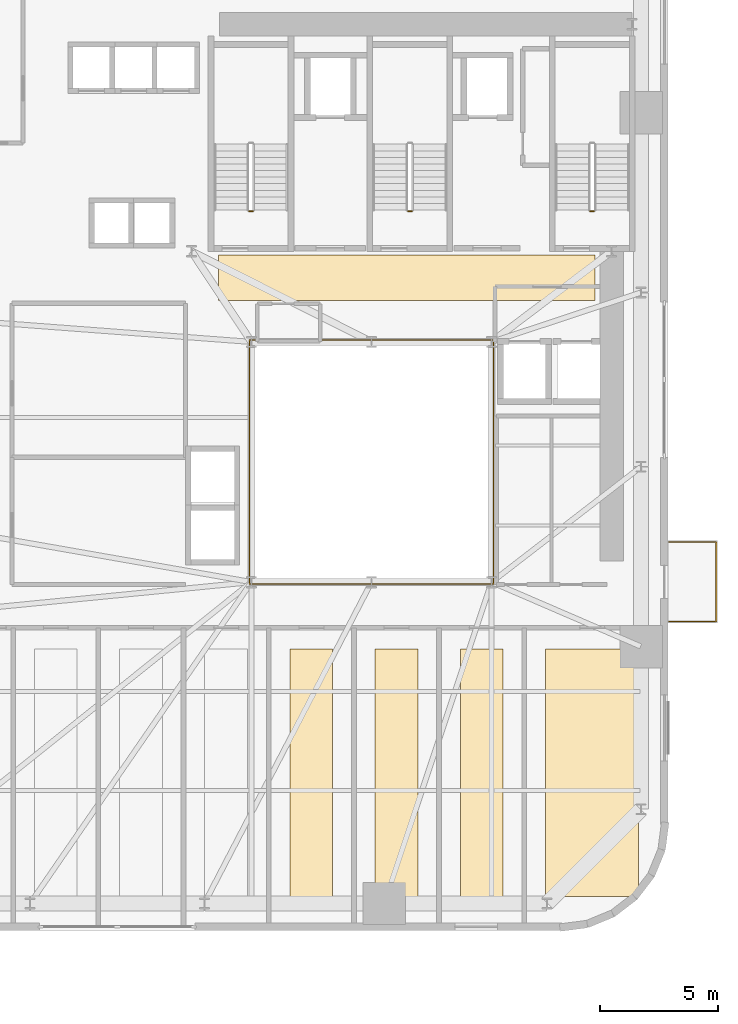
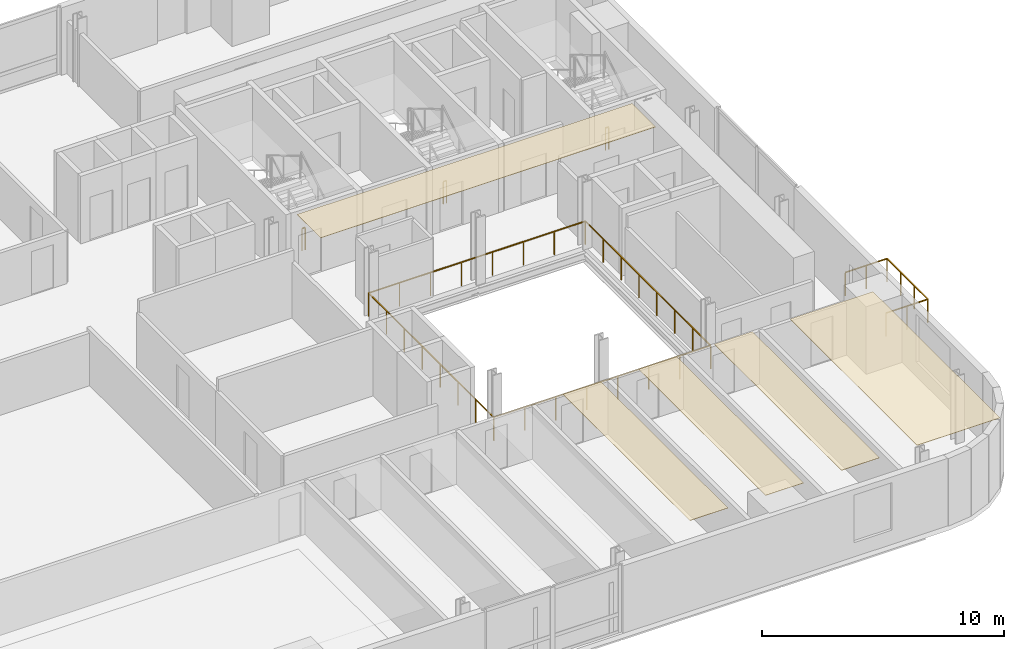
# One storey, part 11 of 13: 5 coverings, 5 railings.
"""IFC4 building model written with IfcOpenShell, lengths in metres."""

from ifc_helpers import new_model, si_unit, direction, frame, origin, origin_2d, place, context, subcontext, project, spatial, polyline, rectangle, outline, extrude, source, transform, mapped, material, layer, layer_set, type_object, element, save


model = new_model("IFC4")

# Units and contexts
model_context = context("Model", 3, precision=1e-05, world=origin(), true_north=direction((0.0, 1.0)))
body_context = subcontext(model_context, "Body", "Model", "MODEL_VIEW")
ifc_project = project(units=[si_unit("LENGTHUNIT", "METRE"), si_unit("AREAUNIT", "SQUARE_METRE"), si_unit("VOLUMEUNIT", "CUBIC_METRE"), si_unit("PLANEANGLEUNIT", "RADIAN"), si_unit("MASSUNIT", "GRAM", prefix="KILO")], contexts=[model_context])

# Site, building, storey
site_placement = place(None, origin())
site = spatial("IfcSite", under=ifc_project, at=site_placement, CompositionType="ELEMENT")
building_placement = place(site_placement, origin())
building = spatial("IfcBuilding", under=site, at=building_placement, Name="Vardaveli Station Tower", CompositionType="ELEMENT")
storey_placement = place(building_placement, frame((0.0, 0.0, 64.10009765625)))
storey = spatial("IfcBuildingStorey", under=building, at=storey_placement, Name="L16", CompositionType="ELEMENT", Elevation=64.10009765625)

# Coverings
ifc_material_1 = material(Name="Perforated acoustic mineral ceiling")
ifc_layer = layer(ifc_material_1, 0.02001953125, Name="Perforated acoustic mineral ceiling")
ifc_layer_set = layer_set([ifc_layer], Name="Perforated acoustic mineral ceiling")
covering_type = type_object("IfcCoveringType", Name="COV-CEIL-AC20", PredefinedType="CEILING", material=ifc_layer_set)
covering_1_placement = place(storey_placement, frame((0.0, 0.0, 3.39501953125)))
element("IfcCovering", 1, at=covering_1_placement, inside=storey, type_object=covering_type, Name="CEIL-L16-5", PredefinedType="CEILING", context=body_context, shape_type="SweptSolid", body=[
    extrude(outline(polyline([(32.833740234375, 3.25), (34.651611328125, 3.25), (34.651611328125, 13.760009765625), (32.833740234375, 13.760009765625), (32.833740234375, 3.25)])), origin(), (0.0, 0.0, 1.0), 0.019775390625),
])
covering_2_placement = place(storey_placement, frame((0.0, 0.0, 3.39501953125)))
element("IfcCovering", 2, at=covering_2_placement, inside=storey, type_object=covering_type, Name="CEIL-L16-6", PredefinedType="CEILING", context=body_context, shape_type="SweptSolid", body=[
    extrude(outline(polyline([(36.45166015625, 3.25), (38.26953125, 3.25), (38.26953125, 13.760009765625), (36.45166015625, 13.760009765625), (36.45166015625, 3.25)])), origin(), (0.0, 0.0, 1.0), 0.019775390625),
])
covering_3_placement = place(storey_placement, frame((0.0, 0.0, 3.39501953125)))
element("IfcCovering", 3, at=covering_3_placement, inside=storey, type_object=covering_type, Name="CEIL-L16-7", PredefinedType="CEILING", context=body_context, shape_type="SweptSolid", body=[
    extrude(outline(polyline([(40.069580078125, 3.25), (41.887451171875, 3.25), (41.887451171875, 13.760009765625), (40.069580078125, 13.760009765625), (40.069580078125, 3.25)])), origin(), (0.0, 0.0, 1.0), 0.019775390625),
])
covering_4_placement = place(storey_placement, frame((0.0, 0.0, 3.39501953125)))
element("IfcCovering", 4, at=covering_4_placement, inside=storey, type_object=covering_type, Name="CEIL-L16-8", PredefinedType="CEILING", context=body_context, shape_type="SweptSolid", body=[
    extrude(outline(polyline([(43.6875, 3.25), (47.64990234375, 3.25), (47.64990234375, 13.760009765625), (43.6875, 13.760009765625), (43.6875, 3.25)])), origin(), (0.0, 0.0, 1.0), 0.019775390625),
])
covering_5_placement = place(storey_placement, frame((0.0, 0.0, 3.39501953125)))
element("IfcCovering", 5, at=covering_5_placement, inside=storey, type_object=covering_type, Name="CEIL-L16-9", PredefinedType="CEILING", context=body_context, shape_type="SweptSolid", body=[
    extrude(outline(polyline([(29.800048828125, 28.550048828125), (45.800048828125, 28.550048828125), (45.800048828125, 30.5), (29.800048828125, 30.5), (29.800048828125, 28.550048828125)])), origin(), (0.0, 0.0, 1.0), 0.019775390625),
])

# Railings
ifc_material_2 = material(Name="Laminated glass and stainless steel balustrade", Category="steel")
railing_type_1 = type_object("IfcRailingType", Name="RL-BAL-1200", PredefinedType="BALUSTRADE", material=ifc_material_2)
shared_shape_1 = source(origin(), body_context, "Body", "SweptSolid", [
    extrude(rectangle(XDim=0.048095703125, YDim=0.048095703125, at=origin_2d()), frame((0.0, 0.0, 1.17578125), z_axis=(1.0, 0.0, 0.0), x_axis=(0.0, 1.0, 0.0)), (0.0, 0.0, 1.0), 2.0),
    extrude(rectangle(XDim=0.048095703125, YDim=0.048095703125, at=origin_2d()), frame((2.0, 0.0, 1.17578125), z_axis=(0.0, 1.0, 0.0), x_axis=(-1.0, 0.0, 0.0)), (0.0, 0.0, 1.0), 3.3798828125),
    extrude(rectangle(XDim=0.048095703125, YDim=0.048095703125, at=origin_2d()), frame((2.0, 3.3798828125, 1.17578125), z_axis=(-1.0, 0.0, 0.0), x_axis=(0.0, -1.0, 0.0)), (0.0, 0.0, 1.0), 2.0),
    extrude(rectangle(XDim=0.0419921875, YDim=0.0419921875, at=origin_2d()), origin(), (0.0, 0.0, 1.0), 1.15185546875),
    extrude(rectangle(XDim=0.0419921875, YDim=0.0419921875, at=origin_2d()), frame((1.0, 0.0, 0.0)), (0.0, 0.0, 1.0), 1.15185546875),
    extrude(rectangle(XDim=0.0419921875, YDim=0.0419921875, at=origin_2d()), frame((2.0, 0.0, 0.0)), (0.0, 0.0, 1.0), 1.15185546875),
    extrude(rectangle(XDim=0.0419921875, YDim=0.0419921875, at=origin_2d()), frame((2.0, 1.126708984375, 0.0)), (0.0, 0.0, 1.0), 1.15185546875),
    extrude(rectangle(XDim=0.0419921875, YDim=0.0419921875, at=origin_2d()), frame((2.0, 2.253173828125, 0.0)), (0.0, 0.0, 1.0), 1.15185546875),
    extrude(rectangle(XDim=0.0419921875, YDim=0.0419921875, at=origin_2d()), frame((2.0, 3.3798828125, 0.0)), (0.0, 0.0, 1.0), 1.15185546875),
    extrude(rectangle(XDim=0.0419921875, YDim=0.0419921875, at=origin_2d()), frame((1.0, 3.3798828125, 0.0)), (0.0, 0.0, 1.0), 1.15185546875),
    extrude(rectangle(XDim=0.0419921875, YDim=0.0419921875, at=origin_2d()), frame((0.0, 3.3798828125, 0.0)), (0.0, 0.0, 1.0), 1.15185546875),
])
railing_1_placement = place(storey_placement, frame((48.93994140625, 14.92041015625, 0.0)))
element("IfcRailing", 6, at=railing_1_placement, inside=storey, type_object=railing_type_1, Name="RL-LOG-L16-04", PredefinedType="BALUSTRADE", context=body_context, shape_type="MappedRepresentation", body=[
    mapped(shared_shape_1, transform((0.0, 0.0, 0.0), scale=1.0)),
])
ifc_material_3 = material(Name="Brushed AISI 316 stainless steel", Category="steel")
railing_type_2 = type_object("IfcRailingType", Name="RL-GUARD-1150", PredefinedType="GUARDRAIL", material=ifc_material_3)
shared_shape_2 = source(origin(), body_context, "Body", "SweptSolid", [
    extrude(rectangle(XDim=0.048095703125, YDim=0.048095703125, at=origin_2d()), frame((0.0, 0.0, 1.1259765625), z_axis=(-1.0, 0.0, 0.0), x_axis=(0.0, -1.0, 0.0)), (0.0, 0.0, 1.0), 0.14990234375),
    extrude(rectangle(XDim=0.0419921875, YDim=0.0419921875, at=origin_2d()), origin(), (0.0, 0.0, 1.0), 1.101806640625),
    extrude(rectangle(XDim=0.0419921875, YDim=0.0419921875, at=origin_2d()), frame((-0.14990234375, 0.0, 0.0)), (0.0, 0.0, 1.0), 1.101806640625),
])
for number, where, name in (
    (7, (31.25, 32.35009765625, 0.0), "L16 ST-1 stair guard 4"),
    (8, (38.0, 32.35009765625, 0.0), "L16 ST-2 stair guard 4"),
    (9, (45.75, 32.35009765625, 0.0), "L16 ST-3 stair guard 4"),
):
    element("IfcRailing", number, at=place(storey_placement, frame(where)), inside=storey, type_object=railing_type_2, Name=name, PredefinedType="GUARDRAIL", context=body_context, shape_type="MappedRepresentation", body=[
        mapped(shared_shape_2, transform((0.0, 0.0, 0.0), scale=1.0)),
    ])
shared_shape_3 = source(origin(), body_context, "Body", "SweptSolid", [
    extrude(rectangle(XDim=0.048095703125, YDim=0.048095703125, at=origin_2d()), frame((0.0, 0.0, 1.17578125), z_axis=(1.0, 0.0, 0.0), x_axis=(0.0, 1.0, 0.0)), (0.0, 0.0, 1.0), 10.35986328125),
    extrude(rectangle(XDim=0.048095703125, YDim=0.048095703125, at=origin_2d()), frame((10.35986328125, 0.0, 1.17578125), z_axis=(0.0, 1.0, 0.0), x_axis=(-1.0, 0.0, 0.0)), (0.0, 0.0, 1.0), 10.35986328125),
    extrude(rectangle(XDim=0.048095703125, YDim=0.048095703125, at=origin_2d()), frame((10.35986328125, 10.35986328125, 1.17578125), z_axis=(-1.0, 0.0, 0.0), x_axis=(0.0, -1.0, 0.0)), (0.0, 0.0, 1.0), 10.35986328125),
    extrude(rectangle(XDim=0.048095703125, YDim=0.048095703125, at=origin_2d()), frame((0.0, 10.35986328125, 1.17578125), z_axis=(0.0, -1.0, 0.0), x_axis=(1.0, 0.0, 0.0)), (0.0, 0.0, 1.0), 10.35986328125),
    extrude(rectangle(XDim=0.0419921875, YDim=0.0419921875, at=origin_2d()), origin(), (0.0, 0.0, 1.0), 1.15185546875),
    extrude(rectangle(XDim=0.0419921875, YDim=0.0419921875, at=origin_2d()), frame((1.47998046875, 0.0, 0.0)), (0.0, 0.0, 1.0), 1.15185546875),
    extrude(rectangle(XDim=0.0419921875, YDim=0.0419921875, at=origin_2d()), frame((2.9599609375, 0.0, 0.0)), (0.0, 0.0, 1.0), 1.15185546875),
    extrude(rectangle(XDim=0.0419921875, YDim=0.0419921875, at=origin_2d()), frame((4.43994140625, 0.0, 0.0)), (0.0, 0.0, 1.0), 1.15185546875),
    extrude(rectangle(XDim=0.0419921875, YDim=0.0419921875, at=origin_2d()), frame((5.919921875, 0.0, 0.0)), (0.0, 0.0, 1.0), 1.15185546875),
    extrude(rectangle(XDim=0.0419921875, YDim=0.0419921875, at=origin_2d()), frame((7.39990234375, 0.0, 0.0)), (0.0, 0.0, 1.0), 1.15185546875),
    extrude(rectangle(XDim=0.0419921875, YDim=0.0419921875, at=origin_2d()), frame((8.8798828125, 0.0, 0.0)), (0.0, 0.0, 1.0), 1.15185546875),
    extrude(rectangle(XDim=0.0419921875, YDim=0.0419921875, at=origin_2d()), frame((10.35986328125, 0.0, 0.0)), (0.0, 0.0, 1.0), 1.15185546875),
    extrude(rectangle(XDim=0.0419921875, YDim=0.0419921875, at=origin_2d()), frame((10.35986328125, 1.47998046875, 0.0)), (0.0, 0.0, 1.0), 1.15185546875),
    extrude(rectangle(XDim=0.0419921875, YDim=0.0419921875, at=origin_2d()), frame((10.35986328125, 2.9599609375, 0.0)), (0.0, 0.0, 1.0), 1.15185546875),
    extrude(rectangle(XDim=0.0419921875, YDim=0.0419921875, at=origin_2d()), frame((10.35986328125, 4.43994140625, 0.0)), (0.0, 0.0, 1.0), 1.15185546875),
    extrude(rectangle(XDim=0.0419921875, YDim=0.0419921875, at=origin_2d()), frame((10.35986328125, 5.919921875, 0.0)), (0.0, 0.0, 1.0), 1.15185546875),
    extrude(rectangle(XDim=0.0419921875, YDim=0.0419921875, at=origin_2d()), frame((10.35986328125, 7.39990234375, 0.0)), (0.0, 0.0, 1.0), 1.15185546875),
    extrude(rectangle(XDim=0.0419921875, YDim=0.0419921875, at=origin_2d()), frame((10.35986328125, 8.8798828125, 0.0)), (0.0, 0.0, 1.0), 1.15185546875),
    extrude(rectangle(XDim=0.0419921875, YDim=0.0419921875, at=origin_2d()), frame((10.35986328125, 10.35986328125, 0.0)), (0.0, 0.0, 1.0), 1.15185546875),
    extrude(rectangle(XDim=0.0419921875, YDim=0.0419921875, at=origin_2d()), frame((8.8798828125, 10.35986328125, 0.0)), (0.0, 0.0, 1.0), 1.15185546875),
    extrude(rectangle(XDim=0.0419921875, YDim=0.0419921875, at=origin_2d()), frame((7.39990234375, 10.35986328125, 0.0)), (0.0, 0.0, 1.0), 1.15185546875),
    extrude(rectangle(XDim=0.0419921875, YDim=0.0419921875, at=origin_2d()), frame((5.919921875, 10.35986328125, 0.0)), (0.0, 0.0, 1.0), 1.15185546875),
    extrude(rectangle(XDim=0.0419921875, YDim=0.0419921875, at=origin_2d()), frame((4.43994140625, 10.35986328125, 0.0)), (0.0, 0.0, 1.0), 1.15185546875),
    extrude(rectangle(XDim=0.0419921875, YDim=0.0419921875, at=origin_2d()), frame((2.9599609375, 10.35986328125, 0.0)), (0.0, 0.0, 1.0), 1.15185546875),
    extrude(rectangle(XDim=0.0419921875, YDim=0.0419921875, at=origin_2d()), frame((1.47998046875, 10.35986328125, 0.0)), (0.0, 0.0, 1.0), 1.15185546875),
    extrude(rectangle(XDim=0.0419921875, YDim=0.0419921875, at=origin_2d()), frame((0.0, 10.35986328125, 0.0)), (0.0, 0.0, 1.0), 1.15185546875),
    extrude(rectangle(XDim=0.0419921875, YDim=0.0419921875, at=origin_2d()), frame((0.0, 8.8798828125, 0.0)), (0.0, 0.0, 1.0), 1.15185546875),
    extrude(rectangle(XDim=0.0419921875, YDim=0.0419921875, at=origin_2d()), frame((0.0, 7.39990234375, 0.0)), (0.0, 0.0, 1.0), 1.15185546875),
    extrude(rectangle(XDim=0.0419921875, YDim=0.0419921875, at=origin_2d()), frame((0.0, 5.919921875, 0.0)), (0.0, 0.0, 1.0), 1.15185546875),
    extrude(rectangle(XDim=0.0419921875, YDim=0.0419921875, at=origin_2d()), frame((0.0, 4.43994140625, 0.0)), (0.0, 0.0, 1.0), 1.15185546875),
    extrude(rectangle(XDim=0.0419921875, YDim=0.0419921875, at=origin_2d()), frame((0.0, 2.9599609375, 0.0)), (0.0, 0.0, 1.0), 1.15185546875),
    extrude(rectangle(XDim=0.0419921875, YDim=0.0419921875, at=origin_2d()), frame((0.0, 1.47998046875, 0.0)), (0.0, 0.0, 1.0), 1.15185546875),
])
railing_2_placement = place(storey_placement, frame((31.1201171875, 16.52001953125, 0.0)))
element("IfcRailing", 10, at=railing_2_placement, inside=storey, type_object=railing_type_1, Name="RL-ATR-L16", PredefinedType="BALUSTRADE", context=body_context, shape_type="MappedRepresentation", body=[
    mapped(shared_shape_3, transform((0.0, 0.0, 0.0), scale=1.0)),
])

save(model, "model.ifc")
